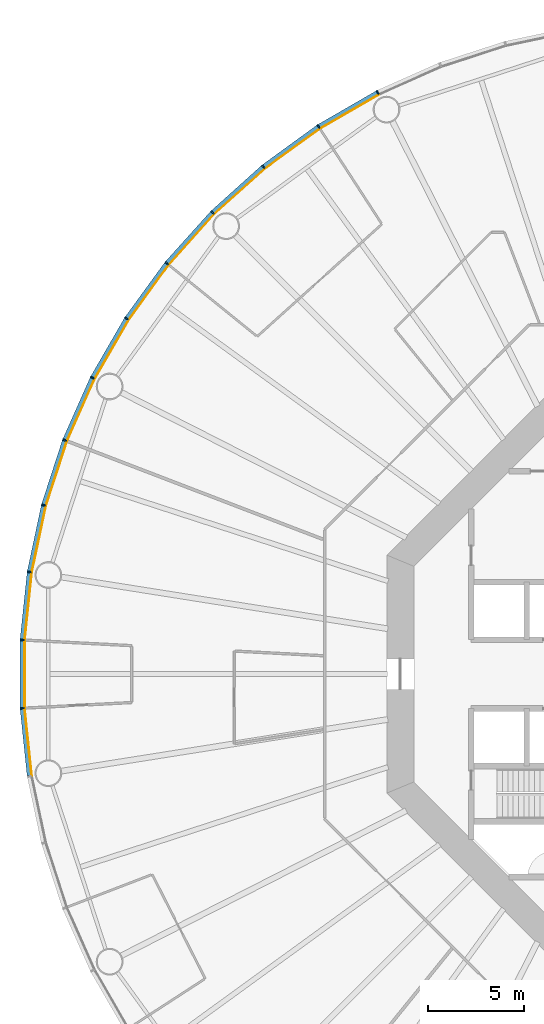
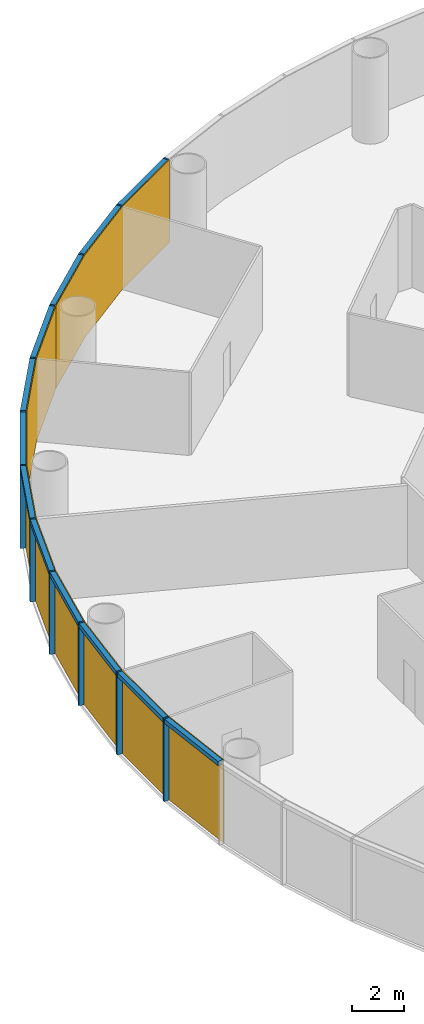
# One storey, part 9 of 13: 24 members, 4 curtain walls.
"""IFC4 building model written with IfcOpenShell, lengths in metres."""

from ifc_helpers import new_model, si_unit, direction, frame, origin, origin_2d, place, context, subcontext, project, spatial, polyline, rectangle, outline, extrude, material, layer, layer_set, material_profile, profile_set, type_object, element, aggregate, save


model = new_model("IFC4")

# Units and contexts
model_context = context("Model", 3, precision=1e-05, world=origin(), true_north=direction((0.0, 1.0)))
body_context = subcontext(model_context, "Body", "Model", "MODEL_VIEW")
ifc_project = project(units=[si_unit("LENGTHUNIT", "METRE"), si_unit("AREAUNIT", "SQUARE_METRE"), si_unit("VOLUMEUNIT", "CUBIC_METRE"), si_unit("PLANEANGLEUNIT", "RADIAN"), si_unit("MASSUNIT", "GRAM", prefix="KILO")], contexts=[model_context])

# Member
ifc_material_1 = material(Name="Anodised aluminium", Category="aluminium")
ifc_material_profile_1 = material_profile(ifc_material_1, rectangle(XDim=0.074951171875, YDim=0.219970703125, at=origin_2d()), Name="Mullion 75 x 220 mm anodised aluminium")
ifc_profile_set_1 = profile_set([ifc_material_profile_1], Name="Anodised aluminium")
member_type_1 = type_object("IfcMemberType", Name="Mullion 75 x 220 mm anodised aluminium", PredefinedType="MULLION", material=ifc_profile_set_1)
site_placement = place(None, origin())
building_placement = place(site_placement, origin())
storey_placement = place(building_placement, frame((0.0, 0.0, 58.0)))
member_1_placement = place(storey_placement, frame((74.514404296875, 110.392333984375, 0.0), z_axis=(0.0, 0.0, 1.0), x_axis=(-0.891006524188, -0.45399049974, 0.0)))
member_1 = element("IfcMember", 1, at=member_1_placement, type_object=member_type_1, Name="MULLION L12-18", PredefinedType="MULLION", context=body_context, shape_type="SweptSolid", body=[
    extrude(rectangle(XDim=0.074951171875, YDim=0.219970703125, at=origin_2d()), origin(), (0.0, 0.0, 1.0), 3.85009765625),
])

member_2_placement = place(storey_placement, frame((71.42236328125, 108.60693359375, 0.0), z_axis=(0.0, 0.0, 1.0), x_axis=(-0.838670567945, -0.544639035015, 0.0)))
member_2 = element("IfcMember", 2, at=member_2_placement, type_object=member_type_1, Name="MULLION L12-19", PredefinedType="MULLION", context=body_context, shape_type="SweptSolid", body=[
    extrude(rectangle(XDim=0.074951171875, YDim=0.219970703125, at=origin_2d()), origin(), (0.0, 0.0, 1.0), 3.85009765625),
])

member_3_placement = place(storey_placement, frame((68.533935546875, 106.508544921875, 0.0), z_axis=(0.0, 0.0, 1.0), x_axis=(-0.777145961457, -0.62932039105, 0.0)))
member_3 = element("IfcMember", 3, at=member_3_placement, type_object=member_type_1, Name="MULLION L12-20", PredefinedType="MULLION", context=body_context, shape_type="SweptSolid", body=[
    extrude(rectangle(XDim=0.074951171875, YDim=0.219970703125, at=origin_2d()), origin(), (0.0, 0.0, 1.0), 3.85009765625),
])

member_4_placement = place(storey_placement, frame((65.880615234375, 104.119384765625, 0.0), z_axis=(0.0, 0.0, 1.0), x_axis=(-0.707106781187, -0.707106781187, 0.0)))
member_4 = element("IfcMember", 4, at=member_4_placement, type_object=member_type_1, Name="MULLION L12-21", PredefinedType="MULLION", context=body_context, shape_type="SweptSolid", body=[
    extrude(rectangle(XDim=0.074951171875, YDim=0.219970703125, at=origin_2d()), origin(), (0.0, 0.0, 1.0), 3.85009765625),
])

member_5_placement = place(storey_placement, frame((63.491455078125, 101.466064453125, 0.0), z_axis=(0.0, 0.0, 1.0), x_axis=(-0.62932039105, -0.777145961457, 0.0)))
member_5 = element("IfcMember", 5, at=member_5_placement, type_object=member_type_1, Name="MULLION L12-22", PredefinedType="MULLION", context=body_context, shape_type="SweptSolid", body=[
    extrude(rectangle(XDim=0.074951171875, YDim=0.219970703125, at=origin_2d()), origin(), (0.0, 0.0, 1.0), 3.85009765625),
])

member_6_placement = place(storey_placement, frame((61.39306640625, 98.57763671875, 0.0), z_axis=(0.0, 0.0, 1.0), x_axis=(-0.544639035015, -0.838670567945, 0.0)))
member_6 = element("IfcMember", 6, at=member_6_placement, type_object=member_type_1, Name="MULLION L12-23", PredefinedType="MULLION", context=body_context, shape_type="SweptSolid", body=[
    extrude(rectangle(XDim=0.074951171875, YDim=0.219970703125, at=origin_2d()), origin(), (0.0, 0.0, 1.0), 3.85009765625),
])

member_7_placement = place(storey_placement, frame((59.607666015625, 95.485595703125, 0.0), z_axis=(0.0, 0.0, 1.0), x_axis=(-0.45399049974, -0.891006524188, 0.0)))
member_7 = element("IfcMember", 7, at=member_7_placement, type_object=member_type_1, Name="MULLION L12-24", PredefinedType="MULLION", context=body_context, shape_type="SweptSolid", body=[
    extrude(rectangle(XDim=0.074951171875, YDim=0.219970703125, at=origin_2d()), origin(), (0.0, 0.0, 1.0), 3.85009765625),
])

member_8_placement = place(storey_placement, frame((58.155517578125, 92.223876953125, 0.0), z_axis=(0.0, 0.0, 1.0), x_axis=(-0.358367949545, -0.933580426497, 0.0)))
member_8 = element("IfcMember", 8, at=member_8_placement, type_object=member_type_1, Name="MULLION L12-25", PredefinedType="MULLION", context=body_context, shape_type="SweptSolid", body=[
    extrude(rectangle(XDim=0.074951171875, YDim=0.219970703125, at=origin_2d()), origin(), (0.0, 0.0, 1.0), 3.85009765625),
])

member_9_placement = place(storey_placement, frame((57.05224609375, 88.828369140625, 0.0), z_axis=(0.0, 0.0, 1.0), x_axis=(-0.258819045103, -0.965925826289, 0.0)))
member_9 = element("IfcMember", 9, at=member_9_placement, type_object=member_type_1, Name="MULLION L12-26", PredefinedType="MULLION", context=body_context, shape_type="SweptSolid", body=[
    extrude(rectangle(XDim=0.074951171875, YDim=0.219970703125, at=origin_2d()), origin(), (0.0, 0.0, 1.0), 3.85009765625),
])

member_10_placement = place(storey_placement, frame((56.31005859375, 85.3359375, 0.0), z_axis=(0.0, 0.0, 1.0), x_axis=(-0.15643446504, -0.987688340595, 0.0)))
member_10 = element("IfcMember", 10, at=member_10_placement, type_object=member_type_1, Name="MULLION L12-27", PredefinedType="MULLION", context=body_context, shape_type="SweptSolid", body=[
    extrude(rectangle(XDim=0.074951171875, YDim=0.219970703125, at=origin_2d()), origin(), (0.0, 0.0, 1.0), 3.85009765625),
])

member_11_placement = place(storey_placement, frame((55.936767578125, 81.78515625, 0.0), z_axis=(0.0, 0.0, 1.0), x_axis=(-0.052335956243, -0.998629534755, 0.0)))
member_11 = element("IfcMember", 11, at=member_11_placement, type_object=member_type_1, Name="MULLION L12-28", PredefinedType="MULLION", context=body_context, shape_type="SweptSolid", body=[
    extrude(rectangle(XDim=0.074951171875, YDim=0.219970703125, at=origin_2d()), origin(), (0.0, 0.0, 1.0), 3.85009765625),
])

member_12_placement = place(storey_placement, frame((55.936767578125, 78.21484375, 0.0), z_axis=(0.0, 0.0, 1.0), x_axis=(0.052335956243, -0.998629534755, 0.0)))
member_12 = element("IfcMember", 12, at=member_12_placement, type_object=member_type_1, Name="MULLION L12-29", PredefinedType="MULLION", context=body_context, shape_type="SweptSolid", body=[
    extrude(rectangle(XDim=0.074951171875, YDim=0.219970703125, at=origin_2d()), origin(), (0.0, 0.0, 1.0), 3.85009765625),
])

ifc_material_2 = material(Name="Anodised aluminium", Category="aluminium")
ifc_material_profile_2 = material_profile(ifc_material_2, rectangle(XDim=0.219970703125, YDim=0.199951171875, at=origin_2d()), Name="Transom 200 x 220 mm anodised aluminium")
ifc_profile_set_2 = profile_set([ifc_material_profile_2], Name="Anodised aluminium")
member_type_2 = type_object("IfcMemberType", Name="Transom 200 x 220 mm anodised aluminium", PredefinedType="USERDEFINED", material=ifc_profile_set_2)
member_13_placement = place(storey_placement, frame((74.476806640625, 110.370849609375, 3.75), z_axis=(-0.866022206254, -0.500005538244, 0.0), x_axis=(0.500005538244, -0.866022206254, 0.0)))
member_13 = element("IfcMember", 13, at=member_13_placement, type_object=member_type_2, Name="TRANSOM L12-18", ObjectType="TRANSOM", PredefinedType="USERDEFINED", context=body_context, shape_type="SweptSolid", body=[
    extrude(rectangle(XDim=0.219970703125, YDim=0.199951171875, at=origin_2d()), origin(), (0.0, 0.0, 1.0), 3.48388671875),
])

member_14_placement = place(storey_placement, frame((71.38720703125, 108.581787109375, 3.75), z_axis=(-0.80899056535, -0.587821627006, 0.0), x_axis=(0.587821627006, -0.80899056535, 0.0)))
member_14 = element("IfcMember", 14, at=member_14_placement, type_object=member_type_2, Name="TRANSOM L12-19", ObjectType="TRANSOM", PredefinedType="USERDEFINED", context=body_context, shape_type="SweptSolid", body=[
    extrude(rectangle(XDim=0.219970703125, YDim=0.199951171875, at=origin_2d()), origin(), (0.0, 0.0, 1.0), 3.48388671875),
])

member_15_placement = place(storey_placement, frame((68.501708984375, 106.479736328125, 3.75), z_axis=(-0.743137329876, -0.669138930974, 0.0), x_axis=(0.669138930974, -0.743137329876, 0.0)))
member_15 = element("IfcMember", 15, at=member_15_placement, type_object=member_type_2, Name="TRANSOM L12-20", ObjectType="TRANSOM", PredefinedType="USERDEFINED", context=body_context, shape_type="SweptSolid", body=[
    extrude(rectangle(XDim=0.219970703125, YDim=0.199951171875, at=origin_2d()), origin(), (0.0, 0.0, 1.0), 3.484130859375),
])

member_16_placement = place(storey_placement, frame((65.8515625, 104.08740234375, 3.75), z_axis=(-0.669138930974, -0.743137329876, 0.0), x_axis=(0.743137329876, -0.669138930974, 0.0)))
member_16 = element("IfcMember", 16, at=member_16_placement, type_object=member_type_2, Name="TRANSOM L12-21", ObjectType="TRANSOM", PredefinedType="USERDEFINED", context=body_context, shape_type="SweptSolid", body=[
    extrude(rectangle(XDim=0.219970703125, YDim=0.199951171875, at=origin_2d()), origin(), (0.0, 0.0, 1.0), 3.484130859375),
])

member_17_placement = place(storey_placement, frame((63.466064453125, 101.43115234375, 3.75), z_axis=(-0.587821627006, -0.80899056535, 0.0), x_axis=(0.80899056535, -0.587821627006, 0.0)))
member_17 = element("IfcMember", 17, at=member_17_placement, type_object=member_type_2, Name="TRANSOM L12-22", ObjectType="TRANSOM", PredefinedType="USERDEFINED", context=body_context, shape_type="SweptSolid", body=[
    extrude(rectangle(XDim=0.219970703125, YDim=0.199951171875, at=origin_2d()), origin(), (0.0, 0.0, 1.0), 3.48388671875),
])

member_18_placement = place(storey_placement, frame((61.37109375, 98.540283203125, 3.75), z_axis=(-0.500005538244, -0.866022206254, 0.0), x_axis=(0.866022206254, -0.500005538244, 0.0)))
member_18 = element("IfcMember", 18, at=member_18_placement, type_object=member_type_2, Name="TRANSOM L12-23", ObjectType="TRANSOM", PredefinedType="USERDEFINED", context=body_context, shape_type="SweptSolid", body=[
    extrude(rectangle(XDim=0.219970703125, YDim=0.199951171875, at=origin_2d()), origin(), (0.0, 0.0, 1.0), 3.48388671875),
])

member_19_placement = place(storey_placement, frame((59.590087890625, 95.446044921875, 3.75), z_axis=(-0.406736576304, -0.913545487371, 0.0), x_axis=(0.913545487371, -0.406736576304, 0.0)))
member_19 = element("IfcMember", 19, at=member_19_placement, type_object=member_type_2, Name="TRANSOM L12-24", ObjectType="TRANSOM", PredefinedType="USERDEFINED", context=body_context, shape_type="SweptSolid", body=[
    extrude(rectangle(XDim=0.219970703125, YDim=0.199951171875, at=origin_2d()), origin(), (0.0, 0.0, 1.0), 3.48388671875),
])

member_20_placement = place(storey_placement, frame((58.14208984375, 92.182861328125, 3.75), z_axis=(-0.309029029702, -0.951052605696, 0.0), x_axis=(0.951052605696, -0.309029029702, 0.0)))
member_20 = element("IfcMember", 20, at=member_20_placement, type_object=member_type_2, Name="TRANSOM L12-25", ObjectType="TRANSOM", PredefinedType="USERDEFINED", context=body_context, shape_type="SweptSolid", body=[
    extrude(rectangle(XDim=0.219970703125, YDim=0.199951171875, at=origin_2d()), origin(), (0.0, 0.0, 1.0), 3.484130859375),
])

member_21_placement = place(storey_placement, frame((57.043212890625, 88.7861328125, 3.75), z_axis=(-0.207920776701, -0.978145669426, 0.0), x_axis=(0.978145669426, -0.207920776701, 0.0)))
member_21 = element("IfcMember", 21, at=member_21_placement, type_object=member_type_2, Name="TRANSOM L12-26", ObjectType="TRANSOM", PredefinedType="USERDEFINED", context=body_context, shape_type="SweptSolid", body=[
    extrude(rectangle(XDim=0.219970703125, YDim=0.199951171875, at=origin_2d()), origin(), (0.0, 0.0, 1.0), 3.48388671875),
])

member_22_placement = place(storey_placement, frame((56.30517578125, 85.29296875, 3.75), z_axis=(-0.104484152234, -0.994526551648, 0.0), x_axis=(0.994526551648, -0.104484152234, 0.0)))
member_22 = element("IfcMember", 22, at=member_22_placement, type_object=member_type_2, Name="TRANSOM L12-27", ObjectType="TRANSOM", PredefinedType="USERDEFINED", context=body_context, shape_type="SweptSolid", body=[
    extrude(rectangle(XDim=0.219970703125, YDim=0.199951171875, at=origin_2d()), origin(), (0.0, 0.0, 1.0), 3.48388671875),
])

member_23_placement = place(storey_placement, frame((55.9365234375, 81.741943359375, 3.75), z_axis=(0.0, -1.0, 0.0), x_axis=(1.0, 0.0, 0.0)))
member_23 = element("IfcMember", 23, at=member_23_placement, type_object=member_type_2, Name="TRANSOM L12-28", ObjectType="TRANSOM", PredefinedType="USERDEFINED", context=body_context, shape_type="SweptSolid", body=[
    extrude(rectangle(XDim=0.219970703125, YDim=0.199951171875, at=origin_2d()), origin(), (0.0, 0.0, 1.0), 3.48388671875),
])

member_24_placement = place(storey_placement, frame((55.941162109375, 78.171875, 3.75), z_axis=(0.104484152234, -0.994526551648, 0.0), x_axis=(0.994526551648, 0.104484152234, 0.0)))
member_24 = element("IfcMember", 24, at=member_24_placement, type_object=member_type_2, Name="TRANSOM L12-29", ObjectType="TRANSOM", PredefinedType="USERDEFINED", context=body_context, shape_type="SweptSolid", body=[
    extrude(rectangle(XDim=0.219970703125, YDim=0.199951171875, at=origin_2d()), origin(), (0.0, 0.0, 1.0), 3.48388671875),
])

# Site, building, storey
site = spatial("IfcSite", under=ifc_project, at=site_placement, CompositionType="ELEMENT")
building = spatial("IfcBuilding", under=site, at=building_placement, Name="Entoto Ring Tower", CompositionType="ELEMENT")
storey = spatial("IfcBuildingStorey", under=building, at=storey_placement, Name="L12", CompositionType="ELEMENT", Elevation=58.0)

# Curtain wall
ifc_material_3 = material(Name="Clear low-iron glass", Category="glass")
ifc_layer = layer(ifc_material_3, 0.0400390625)
ifc_layer_set = layer_set([ifc_layer], Name="Clear low-iron glass")
curtain_wall_type = type_object("IfcCurtainWallType", Name="Curtain wall system CW1 glazing 40 mm", PredefinedType="NOTDEFINED", material=ifc_layer_set)
curtain_wall_1_placement = place(storey_placement, origin())
curtain_wall_1 = element("IfcCurtainWall", 25, at=curtain_wall_1_placement, inside=storey, type_object=curtain_wall_type, Name="CW1 L12-07", PredefinedType="NOTDEFINED", context=body_context, shape_type="SweptSolid", body=[
    extrude(outline(polyline([(74.564208984375, 110.294189453125), (71.482177734375, 108.514892578125), (68.60302734375, 106.4228515625), (65.958251953125, 104.041748046875), (65.986572265625, 104.013427734375), (68.62841796875, 106.391845703125), (71.504150390625, 108.481201171875), (74.58251953125, 110.258544921875), (74.564208984375, 110.294189453125)])), origin(), (0.0, 0.0, 1.0), 3.85009765625),
])

aggregate(curtain_wall_1, [member_1, member_2, member_3, member_13, member_14, member_15])

curtain_wall_2_placement = place(storey_placement, origin())
curtain_wall_2 = element("IfcCurtainWall", 26, at=curtain_wall_2_placement, inside=storey, type_object=curtain_wall_type, Name="CW1 L12-08", PredefinedType="NOTDEFINED", context=body_context, shape_type="SweptSolid", body=[
    extrude(outline(polyline([(65.958251953125, 104.041748046875), (63.5771484375, 101.39697265625), (61.485107421875, 98.517822265625), (59.705810546875, 95.435791015625), (59.741455078125, 95.41748046875), (61.518798828125, 98.495849609375), (63.608154296875, 101.37158203125), (65.986572265625, 104.013427734375), (65.958251953125, 104.041748046875)])), origin(), (0.0, 0.0, 1.0), 3.85009765625),
])

aggregate(curtain_wall_2, [member_4, member_5, member_6, member_16, member_17, member_18])

curtain_wall_3_placement = place(storey_placement, origin())
curtain_wall_3 = element("IfcCurtainWall", 27, at=curtain_wall_3_placement, inside=storey, type_object=curtain_wall_type, Name="CW1 L12-09", PredefinedType="NOTDEFINED", context=body_context, shape_type="SweptSolid", body=[
    extrude(outline(polyline([(59.705810546875, 95.435791015625), (58.25830078125, 92.1845703125), (57.158447265625, 88.7998046875), (56.418701171875, 85.31884765625), (56.458251953125, 85.3125), (57.197265625, 88.78955078125), (58.295654296875, 92.170166015625), (59.741455078125, 95.41748046875), (59.705810546875, 95.435791015625)])), origin(), (0.0, 0.0, 1.0), 3.85009765625),
])

aggregate(curtain_wall_3, [member_7, member_8, member_9, member_19, member_20, member_21])

curtain_wall_4_placement = place(storey_placement, origin())
curtain_wall_4 = element("IfcCurtainWall", 28, at=curtain_wall_4_placement, inside=storey, type_object=curtain_wall_type, Name="CW1 L12-10", PredefinedType="NOTDEFINED", context=body_context, shape_type="SweptSolid", body=[
    extrude(outline(polyline([(56.418701171875, 85.31884765625), (56.046630859375, 81.779541015625), (56.046630859375, 78.220458984375), (56.418701171875, 74.68115234375), (56.458251953125, 74.6875), (56.086669921875, 78.22265625), (56.086669921875, 81.77734375), (56.458251953125, 85.3125), (56.418701171875, 85.31884765625)])), origin(), (0.0, 0.0, 1.0), 3.85009765625),
])

aggregate(curtain_wall_4, [member_10, member_11, member_12, member_22, member_23, member_24])

save(model, "model.ifc")
